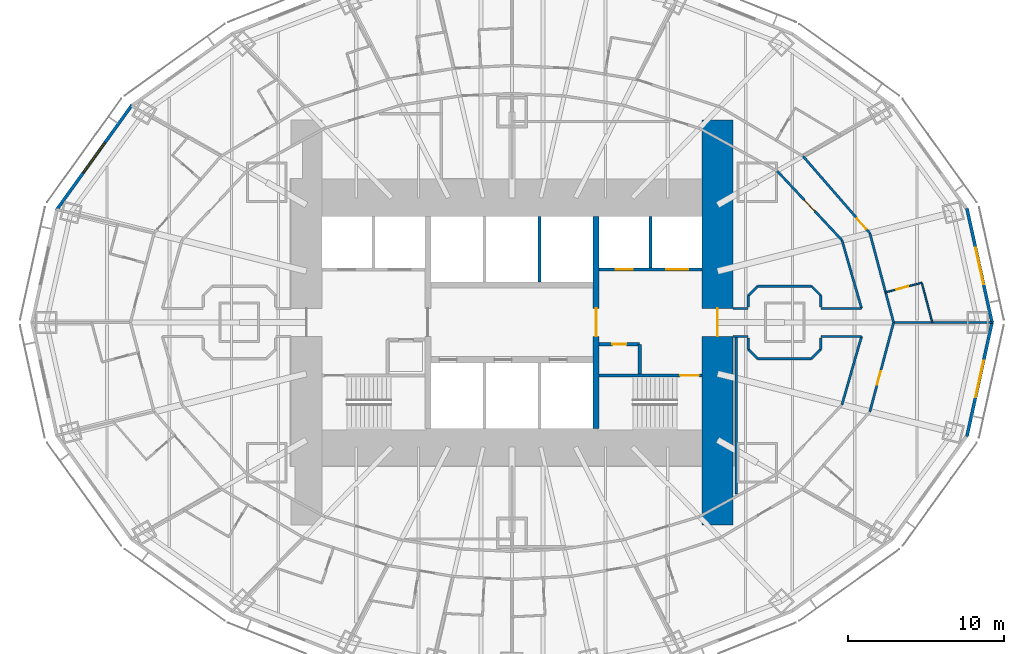
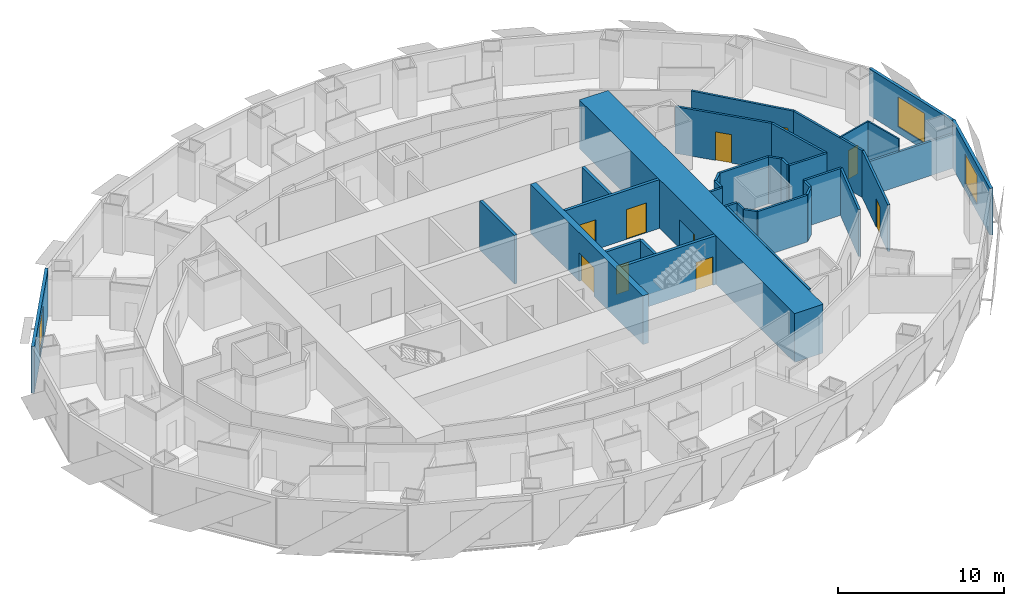
# One storey, part 8 of 15: 35 walls, 10 doors, 3 windows, 13 openings.
"""IFC4 building model written with IfcOpenShell, lengths in metres."""

from ifc_helpers import new_model, si_unit, direction, frame, frame_2d, origin, place, context, subcontext, project, spatial, rectangle, extrude, material, layer, layer_set, type_object, element, fill, save


model = new_model("IFC4")

# Units and contexts
model_context = context("Model", 3, precision=1e-05, world=origin(), true_north=direction((0.0, 1.0)))
body_context = subcontext(model_context, "Body", "Model", "MODEL_VIEW")
ifc_project = project(units=[si_unit("LENGTHUNIT", "METRE"), si_unit("AREAUNIT", "SQUARE_METRE"), si_unit("VOLUMEUNIT", "CUBIC_METRE"), si_unit("PLANEANGLEUNIT", "RADIAN"), si_unit("MASSUNIT", "GRAM", prefix="KILO")], contexts=[model_context])

# Site, building, storey
site_placement = place(None, origin())
site = spatial("IfcSite", under=ifc_project, at=site_placement, CompositionType="ELEMENT")
building_placement = place(site_placement, origin())
building = spatial("IfcBuilding", under=site, at=building_placement, Name="Lantaw Convention Tower", CompositionType="ELEMENT")
storey_placement = place(building_placement, frame((0.0, 0.0, 62.199951171875)))
storey = spatial("IfcBuildingStorey", under=building, at=storey_placement, Name="L13", CompositionType="ELEMENT", Elevation=62.199951171875)

# Wall
ifc_material_1 = material(Name="Gypsum board on steel studs", Category="steel")
ifc_layer_1 = layer(ifc_material_1, 0.14990234375)
ifc_layer_set_1 = layer_set([ifc_layer_1], Name="Back of house wall 150")
wall_type_1 = type_object("IfcWallType", Name="Back of house wall 150", PredefinedType="PARTITIONING", material=ifc_layer_set_1)
wall_1_placement = place(storey_placement, frame((14.39990234375, -11.01708984375, 0.0), z_axis=(0.0, 0.0, 1.0), x_axis=(0.0, 1.0, 0.0)))
element("IfcWall", 1, at=wall_1_placement, inside=storey, type_object=wall_type_1, Name="Back of house wall 150", PredefinedType="PARTITIONING", context=body_context, shape_type="SweptSolid", body=[
    extrude(rectangle(XDim=10.1171875, YDim=0.14990234375, at=frame_2d((5.05859375, 0.0))), origin(), (0.0, 0.0, 1.0), 3.449951171875),
])

# Wall, opening, door
ifc_material_2 = material(Name="Moisture resistant gypsum board on steel studs", Category="steel")
ifc_layer_2 = layer(ifc_material_2, 0.10009765625)
ifc_layer_set_2 = layer_set([ifc_layer_2], Name="Bathroom wall 100")
wall_type_2 = type_object("IfcWallType", Name="Bathroom wall 100", PredefinedType="PARTITIONING", material=ifc_layer_set_2)
wall_2_placement = place(storey_placement, frame((23.98583984375, 1.932861328125, 0.0), z_axis=(0.0, 0.0, 1.0), x_axis=(0.96639514992, 0.257061109879, 0.0)))
wall_2 = element("IfcWall", 2, at=wall_2_placement, inside=storey, type_object=wall_type_2, Name="Bathroom wall 100", PredefinedType="PARTITIONING", context=body_context, shape_type="SweptSolid", body=[
    extrude(rectangle(XDim=2.39990234375, YDim=0.10009765625, at=frame_2d((1.199951171875, 0.0))), origin(), (0.0, 0.0, 1.0), 3.449951171875),
])
opening_1_placement = place(wall_2_placement, frame((0.699951171875, 0.0, 0.0)))
opening_1 = element("IfcOpeningElement", 3, at=opening_1_placement, cuts=wall_2, Name="Opening L13.25", PredefinedType="OPENING", context=body_context, shape_type="SweptSolid", body=[
    extrude(rectangle(XDim=0.800048828125, YDim=2.10009765625, at=frame_2d((0.39990234375, 1.050048828125))), frame((0.0, 0.06005859375, 0.0), z_axis=(0.0, -1.0, 0.0), x_axis=(1.0, 0.0, 0.0)), (0.0, 0.0, 1.0), 0.1201171875),
])
ifc_material_3 = material(Name="Timber", Category="wood")
door_type_1 = type_object("IfcDoorType", Name="Bathroom door 800", OperationType="SINGLE_SWING_LEFT", PredefinedType="DOOR", material=ifc_material_3)
door_1_placement = place(opening_1_placement, origin())
door_1 = element("IfcDoor", 4, at=door_1_placement, inside=storey, type_object=door_type_1, Name="Bathroom door", OperationType="SINGLE_SWING_LEFT", OverallHeight=2.10009765625, OverallWidth=0.800048828125, PredefinedType="DOOR", context=body_context, shape_type="SweptSolid", body=[
    extrude(rectangle(XDim=0.800048828125, YDim=2.10009765625, at=frame_2d((0.39990234375, 1.050048828125))), frame((0.0, 0.02490234375, 0.0), z_axis=(0.0, -1.0, 0.0), x_axis=(1.0, 0.0, 0.0)), (0.0, 0.0, 1.0), 0.050048828125),
])
fill(opening_1, door_1)

# Wall
wall_3_placement = place(storey_placement, frame((26.30517578125, 2.5498046875, 0.0), z_axis=(0.0, 0.0, 1.0), x_axis=(0.257052122515, -0.966397540513, 0.0)))
element("IfcWall", 5, at=wall_3_placement, inside=storey, type_object=wall_type_2, Name="Bathroom wall 100", PredefinedType="PARTITIONING", context=body_context, shape_type="SweptSolid", body=[
    extrude(rectangle(XDim=2.638427734375, YDim=0.10009765625, at=frame_2d((1.3193359375, 0.0))), origin(), (0.0, 0.0, 1.0), 3.449951171875),
])

# Wall, opening, door
ifc_material_4 = material(Name="Concrete C60/75", Category="concrete")
ifc_layer_3 = layer(ifc_material_4, 0.199951171875)
ifc_layer_set_3 = layer_set([ifc_layer_3], Name="Core wall 200")
wall_type_3 = type_object("IfcWallType", Name="Core wall 200", PredefinedType="SHEAR", material=ifc_layer_set_3)
wall_4_placement = place(storey_placement, frame((5.60009765625, -3.39990234375, 0.0), z_axis=(0.0, 0.0, 1.0), x_axis=(1.0, 0.0, 0.0)))
wall_4 = element("IfcWall", 6, at=wall_4_placement, inside=storey, type_object=wall_type_3, Name="Core wall ES", PredefinedType="SHEAR", context=body_context, shape_type="SweptSolid", body=[
    extrude(rectangle(XDim=6.599853515625, YDim=0.199951171875, at=frame_2d((3.2998046875, 0.0))), origin(), (0.0, 0.0, 1.0), 3.60009765625),
])
opening_2_placement = place(wall_4_placement, frame((5.199951171875, 0.0, 0.0)))
opening_2 = element("IfcOpeningElement", 7, at=opening_2_placement, cuts=wall_4, Name="Opening L13.05", PredefinedType="OPENING", context=body_context, shape_type="SweptSolid", body=[
    extrude(rectangle(XDim=1.199951171875, YDim=2.10009765625, at=frame_2d((0.60009765625, 1.050048828125))), frame((0.0, 0.10986328125, 0.0), z_axis=(0.0, -1.0, 0.0), x_axis=(1.0, 0.0, 0.0)), (0.0, 0.0, 1.0), 0.219970703125),
])
ifc_material_5 = material(Name="Steel, fire rated", Category="steel")
door_type_2 = type_object("IfcDoorType", Name="Stair door FD90", OperationType="SINGLE_SWING_RIGHT", PredefinedType="DOOR", material=ifc_material_5)
door_2_placement = place(opening_2_placement, origin())
door_2 = element("IfcDoor", 8, at=door_2_placement, inside=storey, type_object=door_type_2, Name="Exit stair door", OperationType="SINGLE_SWING_RIGHT", OverallHeight=2.10009765625, OverallWidth=1.199951171875, PredefinedType="DOOR", context=body_context, shape_type="SweptSolid", body=[
    extrude(rectangle(XDim=1.199951171875, YDim=2.10009765625, at=frame_2d((0.60009765625, 1.050048828125))), frame((0.0, 0.02490234375, 0.0), z_axis=(0.0, -1.0, 0.0), x_axis=(1.0, 0.0, 0.0)), (0.0, 0.0, 1.0), 0.050048828125),
])
fill(opening_2, door_2)

ifc_layer_4 = layer(ifc_material_4, 2.0)
ifc_layer_set_4 = layer_set([ifc_layer_4], Name="Core wall 2000")
wall_type_4 = type_object("IfcWallType", Name="Core wall 2000", PredefinedType="SHEAR", material=ifc_layer_set_4)
wall_5_placement = place(storey_placement, frame((13.199951171875, -13.0, 0.0), z_axis=(0.0, 0.0, 1.0), x_axis=(0.0, 1.0, 0.0)))
wall_5 = element("IfcWall", 9, at=wall_5_placement, inside=storey, type_object=wall_type_4, Name="Core wall E", PredefinedType="SHEAR", context=body_context, shape_type="SweptSolid", body=[
    extrude(rectangle(XDim=26.0, YDim=2.0, at=frame_2d((13.0, 0.0))), origin(), (0.0, 0.0, 1.0), 3.60009765625),
])
opening_3_placement = place(wall_5_placement, frame((12.10009765625, 0.0, 0.0)))
opening_3 = element("IfcOpeningElement", 10, at=opening_3_placement, cuts=wall_5, Name="Opening L13.07", PredefinedType="OPENING", context=body_context, shape_type="SweptSolid", body=[
    extrude(rectangle(XDim=1.800048828125, YDim=2.10009765625, at=frame_2d((0.89990234375, 1.050048828125))), frame((0.0, 1.010009765625, 0.0), z_axis=(0.0, -1.0, 0.0), x_axis=(1.0, 0.0, 0.0)), (0.0, 0.0, 1.0), 2.02001953125),
])
door_type_3 = type_object("IfcDoorType", Name="Lobby double door FD90", OperationType="DOUBLE_DOOR_DOUBLE_SWING", PredefinedType="DOOR", material=ifc_material_5)
door_3_placement = place(opening_3_placement, origin())
door_3 = element("IfcDoor", 11, at=door_3_placement, inside=storey, type_object=door_type_3, Name="Firefighting lobby door", OperationType="DOUBLE_DOOR_DOUBLE_SWING", OverallHeight=2.10009765625, OverallWidth=1.800048828125, PredefinedType="DOOR", context=body_context, shape_type="SweptSolid", body=[
    extrude(rectangle(XDim=1.800048828125, YDim=2.10009765625, at=frame_2d((0.89990234375, 1.050048828125))), frame((0.0, 0.02490234375, 0.0), z_axis=(0.0, -1.0, 0.0), x_axis=(1.0, 0.0, 0.0)), (0.0, 0.0, 1.0), 0.050048828125),
])
fill(opening_3, door_3)

ifc_layer_5 = layer(ifc_material_4, 0.39990234375)
ifc_layer_set_5 = layer_set([ifc_layer_5], Name="Core wall 400")
wall_type_5 = type_object("IfcWallType", Name="Core wall 400", PredefinedType="SHEAR", material=ifc_layer_set_5)
wall_6_placement = place(storey_placement, frame((5.39990234375, -6.800048828125, 0.0), z_axis=(0.0, 0.0, 1.0), x_axis=(0.0, 1.0, 0.0)))
wall_6 = element("IfcWall", 12, at=wall_6_placement, inside=storey, type_object=wall_type_5, Name="Core wall XE", PredefinedType="SHEAR", context=body_context, shape_type="SweptSolid", body=[
    extrude(rectangle(XDim=13.60009765625, YDim=0.39990234375, at=frame_2d((6.800048828125, 0.0))), origin(), (0.0, 0.0, 1.0), 3.60009765625),
])
opening_4_placement = place(wall_6_placement, frame((5.89990234375, 0.0, 0.0)))
opening_4 = element("IfcOpeningElement", 13, at=opening_4_placement, cuts=wall_6, Name="Opening L13.03", PredefinedType="OPENING", context=body_context, shape_type="SweptSolid", body=[
    extrude(rectangle(XDim=1.800048828125, YDim=2.10009765625, at=frame_2d((0.89990234375, 1.050048828125))), frame((0.0, 0.2099609375, 0.0), z_axis=(0.0, -1.0, 0.0), x_axis=(1.0, 0.0, 0.0)), (0.0, 0.0, 1.0), 0.419921875),
])
door_4_placement = place(opening_4_placement, origin())
door_4 = element("IfcDoor", 14, at=door_4_placement, inside=storey, type_object=door_type_3, Name="Lift lobby door", OperationType="DOUBLE_DOOR_DOUBLE_SWING", OverallHeight=2.10009765625, OverallWidth=1.800048828125, PredefinedType="DOOR", context=body_context, shape_type="SweptSolid", body=[
    extrude(rectangle(XDim=1.800048828125, YDim=2.10009765625, at=frame_2d((0.89990234375, 1.050048828125))), frame((0.0, 0.02490234375, 0.0), z_axis=(0.0, -1.0, 0.0), x_axis=(1.0, 0.0, 0.0)), (0.0, 0.0, 1.0), 0.050048828125),
])
fill(opening_4, door_4)

# Wall
ifc_material_6 = material(Name="Gypsum board on steel studs, fire rated", Category="steel")
ifc_layer_6 = layer(ifc_material_6, 0.14990234375)
ifc_layer_set_6 = layer_set([ifc_layer_6], Name="Corridor wall 150 EI 60")
wall_type_6 = type_object("IfcWallType", Name="Corridor wall 150 EI 60", PredefinedType="PARTITIONING", material=ifc_layer_set_6)
wall_7_placement = place(storey_placement, frame((24.5, 0.0, 0.0), z_axis=(0.0, 0.0, 1.0), x_axis=(-0.257083265334, 0.966389256296, 0.0)))
element("IfcWall", 15, at=wall_7_placement, inside=storey, type_object=wall_type_6, Name="Corridor wall 150", PredefinedType="PARTITIONING", context=body_context, shape_type="SweptSolid", body=[
    extrude(rectangle(XDim=5.927734375, YDim=0.14990234375, at=frame_2d((2.9638671875, 0.0))), origin(), (0.0, 0.0, 1.0), 3.449951171875),
])

# Wall, opening, door
wall_8_placement = place(storey_placement, frame((22.97607421875, 5.728515625, 0.0), z_axis=(0.0, 0.0, 1.0), x_axis=(-0.655599989166, 0.755108372491, 0.0)))
wall_8 = element("IfcWall", 16, at=wall_8_placement, inside=storey, type_object=wall_type_6, Name="Corridor wall 150", PredefinedType="PARTITIONING", context=body_context, shape_type="SweptSolid", body=[
    extrude(rectangle(XDim=6.55078125, YDim=0.14990234375, at=frame_2d((3.275390625, 0.0))), origin(), (0.0, 0.0, 1.0), 3.449951171875),
])
opening_5_placement = place(wall_8_placement, frame((0.355712890625, 0.0, 0.0)))
opening_5 = element("IfcOpeningElement", 17, at=opening_5_placement, cuts=wall_8, Name="Opening L13.26", PredefinedType="OPENING", context=body_context, shape_type="SweptSolid", body=[
    extrude(rectangle(XDim=0.89990234375, YDim=2.10009765625, at=frame_2d((0.449951171875, 1.050048828125))), frame((0.0, 0.0849609375, 0.0), z_axis=(0.0, -1.0, 0.0), x_axis=(1.0, 0.0, 0.0)), (0.0, 0.0, 1.0), 0.169921875),
])
door_type_4 = type_object("IfcDoorType", Name="Guest room entrance door FD30S", OperationType="SINGLE_SWING_LEFT", PredefinedType="DOOR", material=ifc_material_5)
door_5_placement = place(opening_5_placement, origin())
door_5 = element("IfcDoor", 18, at=door_5_placement, inside=storey, type_object=door_type_4, Name="Junior suite entrance door", OperationType="SINGLE_SWING_LEFT", OverallHeight=2.10009765625, OverallWidth=0.89990234375, PredefinedType="DOOR", context=body_context, shape_type="SweptSolid", body=[
    extrude(rectangle(XDim=0.89990234375, YDim=2.10009765625, at=frame_2d((0.449951171875, 1.050048828125))), frame((0.0, 0.02490234375, 0.0), z_axis=(0.0, -1.0, 0.0), x_axis=(1.0, 0.0, 0.0)), (0.0, 0.0, 1.0), 0.050048828125),
])
fill(opening_5, door_5)

wall_9_placement = place(storey_placement, frame((22.97607421875, -5.728515625, 0.0), z_axis=(0.0, 0.0, 1.0), x_axis=(0.257083265334, 0.966389256296, 0.0)))
wall_9 = element("IfcWall", 19, at=wall_9_placement, inside=storey, type_object=wall_type_6, Name="Corridor wall 150", PredefinedType="PARTITIONING", context=body_context, shape_type="SweptSolid", body=[
    extrude(rectangle(XDim=5.927734375, YDim=0.14990234375, at=frame_2d((2.9638671875, 0.0))), origin(), (0.0, 0.0, 1.0), 3.449951171875),
])
opening_6_placement = place(wall_9_placement, frame((1.79443359375, 0.0, 0.0)))
opening_6 = element("IfcOpeningElement", 20, at=opening_6_placement, cuts=wall_9, Name="Opening L13.60", PredefinedType="OPENING", context=body_context, shape_type="SweptSolid", body=[
    extrude(rectangle(XDim=0.89990234375, YDim=2.10009765625, at=frame_2d((0.449951171875, 1.050048828125))), frame((0.0, 0.0849609375, 0.0), z_axis=(0.0, -1.0, 0.0), x_axis=(1.0, 0.0, 0.0)), (0.0, 0.0, 1.0), 0.169921875),
])
door_6_placement = place(opening_6_placement, origin())
door_6 = element("IfcDoor", 21, at=door_6_placement, inside=storey, type_object=door_type_4, Name="Junior suite entrance door", OperationType="SINGLE_SWING_LEFT", OverallHeight=2.10009765625, OverallWidth=0.89990234375, PredefinedType="DOOR", context=body_context, shape_type="SweptSolid", body=[
    extrude(rectangle(XDim=0.89990234375, YDim=2.10009765625, at=frame_2d((0.449951171875, 1.050048828125))), frame((0.0, 0.02490234375, 0.0), z_axis=(0.0, -1.0, 0.0), x_axis=(1.0, 0.0, 0.0)), (0.0, 0.0, 1.0), 0.050048828125),
])
fill(opening_6, door_6)

# Wall
wall_10_placement = place(storey_placement, frame((22.441650390625, 0.89990234375, 0.0), z_axis=(0.0, 0.0, 1.0), x_axis=(-0.27585972825, 0.961197903831, 0.0)))
element("IfcWall", 22, at=wall_10_placement, inside=storey, type_object=wall_type_6, Name="Corridor wall 150", PredefinedType="PARTITIONING", context=body_context, shape_type="SweptSolid", body=[
    extrude(rectangle(XDim=4.558837890625, YDim=0.14990234375, at=frame_2d((2.279296875, 0.0))), origin(), (0.0, 0.0, 1.0), 3.449951171875),
])

# Wall, opening, door
wall_11_placement = place(storey_placement, frame((21.18408203125, 5.28173828125, 0.0), z_axis=(0.0, 0.0, 1.0), x_axis=(-0.68365836236, 0.729802194828, 0.0)))
wall_11 = element("IfcWall", 23, at=wall_11_placement, inside=storey, type_object=wall_type_6, Name="Corridor wall 150", PredefinedType="PARTITIONING", context=body_context, shape_type="SweptSolid", body=[
    extrude(rectangle(XDim=6.08984375, YDim=0.14990234375, at=frame_2d((3.044921875, 0.0))), origin(), (0.0, 0.0, 1.0), 3.449951171875),
])
opening_7_placement = place(wall_11_placement, frame((2.544921875, 0.0, 0.0)))
opening_7 = element("IfcOpeningElement", 24, at=opening_7_placement, cuts=wall_11, Name="Opening L13.17", PredefinedType="OPENING", context=body_context, shape_type="SweptSolid", body=[
    extrude(rectangle(XDim=1.0, YDim=2.10009765625, at=frame_2d((0.5, 1.050048828125))), frame((0.0, 0.0849609375, 0.0), z_axis=(0.0, -1.0, 0.0), x_axis=(1.0, 0.0, 0.0)), (0.0, 0.0, 1.0), 0.169921875),
])
door_type_5 = type_object("IfcDoorType", Name="Service door 1000 FD30", OperationType="SINGLE_SWING_LEFT", PredefinedType="DOOR", material=ifc_material_5)
door_7_placement = place(opening_7_placement, origin())
door_7 = element("IfcDoor", 25, at=door_7_placement, inside=storey, type_object=door_type_5, Name="Linen store door", OperationType="SINGLE_SWING_LEFT", OverallHeight=2.10009765625, OverallWidth=1.0, PredefinedType="DOOR", context=body_context, shape_type="SweptSolid", body=[
    extrude(rectangle(XDim=1.0, YDim=2.10009765625, at=frame_2d((0.5, 1.050048828125))), frame((0.0, 0.02490234375, 0.0), z_axis=(0.0, -1.0, 0.0), x_axis=(1.0, 0.0, 0.0)), (0.0, 0.0, 1.0), 0.050048828125),
])
fill(opening_7, door_7)

# Walls
wall_12_placement = place(storey_placement, frame((21.18408203125, -5.28173828125, 0.0), z_axis=(0.0, 0.0, 1.0), x_axis=(0.27585972825, 0.961197903831, 0.0)))
element("IfcWall", 26, at=wall_12_placement, inside=storey, type_object=wall_type_6, Name="Corridor wall 150", PredefinedType="PARTITIONING", context=body_context, shape_type="SweptSolid", body=[
    extrude(rectangle(XDim=4.558837890625, YDim=0.14990234375, at=frame_2d((2.279296875, 0.0))), origin(), (0.0, 0.0, 1.0), 3.449951171875),
])
wall_13_placement = place(storey_placement, frame((14.199951171875, -0.89990234375, 0.0), z_axis=(0.0, 0.0, 1.0), x_axis=(1.0, 0.0, 0.0)))
element("IfcWall", 27, at=wall_13_placement, inside=storey, type_object=wall_type_6, Name="Corridor wall 150", PredefinedType="PARTITIONING", context=body_context, shape_type="SweptSolid", body=[
    extrude(rectangle(XDim=0.965087890625, YDim=0.14990234375, at=frame_2d((0.482421875, 0.0))), origin(), (0.0, 0.0, 1.0), 3.449951171875),
])
wall_14_placement = place(storey_placement, frame((19.8349609375, -0.89990234375, 0.0), z_axis=(0.0, 0.0, 1.0), x_axis=(1.0, 0.0, 0.0)))
element("IfcWall", 28, at=wall_14_placement, inside=storey, type_object=wall_type_6, Name="Corridor wall 150", PredefinedType="PARTITIONING", context=body_context, shape_type="SweptSolid", body=[
    extrude(rectangle(XDim=2.606689453125, YDim=0.14990234375, at=frame_2d((1.30322265625, 0.0))), origin(), (0.0, 0.0, 1.0), 3.449951171875),
])
wall_15_placement = place(storey_placement, frame((14.199951171875, 0.89990234375, 0.0), z_axis=(0.0, 0.0, 1.0), x_axis=(1.0, 0.0, 0.0)))
element("IfcWall", 29, at=wall_15_placement, inside=storey, type_object=wall_type_6, Name="Corridor wall 150", PredefinedType="PARTITIONING", context=body_context, shape_type="SweptSolid", body=[
    extrude(rectangle(XDim=0.965087890625, YDim=0.14990234375, at=frame_2d((0.482421875, 0.0))), origin(), (0.0, 0.0, 1.0), 3.449951171875),
])
wall_16_placement = place(storey_placement, frame((19.8349609375, 0.89990234375, 0.0), z_axis=(0.0, 0.0, 1.0), x_axis=(1.0, 0.0, 0.0)))
element("IfcWall", 30, at=wall_16_placement, inside=storey, type_object=wall_type_6, Name="Corridor wall 150", PredefinedType="PARTITIONING", context=body_context, shape_type="SweptSolid", body=[
    extrude(rectangle(XDim=2.606689453125, YDim=0.14990234375, at=frame_2d((1.30322265625, 0.0))), origin(), (0.0, 0.0, 1.0), 3.449951171875),
])
wall_17_placement = place(storey_placement, frame((15.175048828125, 1.003173828125, 0.0), z_axis=(0.0, 0.0, 1.0), x_axis=(0.0, 1.0, 0.0)))
element("IfcWall", 31, at=wall_17_placement, inside=storey, type_object=wall_type_6, Name="Corridor wall 150", PredefinedType="PARTITIONING", context=body_context, shape_type="SweptSolid", body=[
    extrude(rectangle(XDim=0.721435546875, YDim=0.14990234375, at=frame_2d((0.36083984375, 0.0))), origin(), (0.0, 0.0, 1.0), 3.449951171875),
])
wall_18_placement = place(storey_placement, frame((15.175048828125, 1.724609375, 0.0), z_axis=(0.0, 0.0, 1.0), x_axis=(0.707106781187, 0.707106781187, 0.0)))
element("IfcWall", 32, at=wall_18_placement, inside=storey, type_object=wall_type_6, Name="Corridor wall 150", PredefinedType="PARTITIONING", context=body_context, shape_type="SweptSolid", body=[
    extrude(rectangle(XDim=0.84912109375, YDim=0.14990234375, at=frame_2d((0.424560546875, 0.0))), origin(), (0.0, 0.0, 1.0), 3.449951171875),
])
wall_19_placement = place(storey_placement, frame((15.775390625, 2.324951171875, 0.0), z_axis=(0.0, 0.0, 1.0), x_axis=(1.0, 0.0, 0.0)))
element("IfcWall", 33, at=wall_19_placement, inside=storey, type_object=wall_type_6, Name="Corridor wall 150", PredefinedType="PARTITIONING", context=body_context, shape_type="SweptSolid", body=[
    extrude(rectangle(XDim=3.44921875, YDim=0.14990234375, at=frame_2d((1.724609375, 0.0))), origin(), (0.0, 0.0, 1.0), 3.449951171875),
])
wall_20_placement = place(storey_placement, frame((19.224609375, 2.324951171875, 0.0), z_axis=(0.0, 0.0, 1.0), x_axis=(0.707106781187, -0.707106781187, 0.0)))
element("IfcWall", 34, at=wall_20_placement, inside=storey, type_object=wall_type_6, Name="Corridor wall 150", PredefinedType="PARTITIONING", context=body_context, shape_type="SweptSolid", body=[
    extrude(rectangle(XDim=0.84912109375, YDim=0.14990234375, at=frame_2d((0.424560546875, 0.0))), origin(), (0.0, 0.0, 1.0), 3.449951171875),
])
for number, where, z_axis, x_axis, name in (
    (35, (19.824951171875, 1.724609375, 0.0), (0.0, 0.0, 1.0), (0.0, -1.0, 0.0), "Corridor wall 150"),
    (36, (15.175048828125, -1.724609375, 0.0), (0.0, 0.0, 1.0), (0.0, 1.0, 0.0), "Corridor wall 150"),
    (37, (19.824951171875, -1.003173828125, 0.0), (0.0, 0.0, 1.0), (0.0, -1.0, 0.0), "Corridor wall 150"),
):
    element("IfcWall", number, at=place(storey_placement, frame(where, z_axis=z_axis, x_axis=x_axis)), inside=storey, type_object=wall_type_6, Name=name, PredefinedType="PARTITIONING", context=body_context, shape_type="SweptSolid", body=[
        extrude(rectangle(XDim=0.721435546875, YDim=0.14990234375, at=frame_2d((0.36083984375, 0.0))), origin(), (0.0, 0.0, 1.0), 3.449951171875),
    ])
wall_21_placement = place(storey_placement, frame((19.824951171875, -1.724609375, 0.0), z_axis=(0.0, 0.0, 1.0), x_axis=(-0.707106781187, -0.707106781187, 0.0)))
element("IfcWall", 38, at=wall_21_placement, inside=storey, type_object=wall_type_6, Name="Corridor wall 150", PredefinedType="PARTITIONING", context=body_context, shape_type="SweptSolid", body=[
    extrude(rectangle(XDim=0.84912109375, YDim=0.14990234375, at=frame_2d((0.424560546875, 0.0))), origin(), (0.0, 0.0, 1.0), 3.449951171875),
])
wall_22_placement = place(storey_placement, frame((19.224609375, -2.324951171875, 0.0), z_axis=(0.0, 0.0, 1.0), x_axis=(-1.0, 0.0, 0.0)))
element("IfcWall", 39, at=wall_22_placement, inside=storey, type_object=wall_type_6, Name="Corridor wall 150", PredefinedType="PARTITIONING", context=body_context, shape_type="SweptSolid", body=[
    extrude(rectangle(XDim=3.44921875, YDim=0.14990234375, at=frame_2d((1.724609375, 0.0))), origin(), (0.0, 0.0, 1.0), 3.449951171875),
])
wall_23_placement = place(storey_placement, frame((15.775390625, -2.324951171875, 0.0), z_axis=(0.0, 0.0, 1.0), x_axis=(-0.707106781187, 0.707106781187, 0.0)))
element("IfcWall", 40, at=wall_23_placement, inside=storey, type_object=wall_type_6, Name="Corridor wall 150", PredefinedType="PARTITIONING", context=body_context, shape_type="SweptSolid", body=[
    extrude(rectangle(XDim=0.84912109375, YDim=0.14990234375, at=frame_2d((0.424560546875, 0.0))), origin(), (0.0, 0.0, 1.0), 3.449951171875),
])

# Wall, opening, window
ifc_material_7 = material(Name="Insulated aluminium panel on steel frame", Category="steel")
ifc_layer_7 = layer(ifc_material_7, 0.199951171875)
ifc_layer_set_7 = layer_set([ifc_layer_7], Name="External wall 200")
wall_type_7 = type_object("IfcWallType", Name="External wall 200", PredefinedType="SOLIDWALL", material=ifc_layer_set_7)
wall_24_placement = place(storey_placement, frame((30.83544921875, -0.06689453125, 0.0), z_axis=(0.0, 0.0, 1.0), x_axis=(-0.215238065514, 0.976561608478, 0.0)))
wall_24 = element("IfcWall", 41, at=wall_24_placement, inside=storey, type_object=wall_type_7, Name="Facade panel wall", PredefinedType="SOLIDWALL", context=body_context, shape_type="SweptSolid", body=[
    extrude(rectangle(XDim=7.562255859375, YDim=0.199951171875, at=frame_2d((3.78125, 0.0))), origin(), (0.0, 0.0, 1.0), 3.449951171875),
])
opening_8_placement = place(wall_24_placement, frame((2.581298828125, 0.0, 0.5)))
opening_8 = element("IfcOpeningElement", 42, at=opening_8_placement, cuts=wall_24, Name="Opening W1", PredefinedType="OPENING", context=body_context, shape_type="SweptSolid", body=[
    extrude(rectangle(XDim=2.39990234375, YDim=2.199951171875, at=frame_2d((1.199951171875, 1.10009765625))), frame((0.0, 0.10986328125, 0.0), z_axis=(0.0, -1.0, 0.0), x_axis=(1.0, 0.0, 0.0)), (0.0, 0.0, 1.0), 0.219970703125),
])
ifc_material_8 = material(Name="Aluminium frame, clear insulating glass", Category="aluminium")
window_type = type_object("IfcWindowType", Name="Guest room window 2400x2200", PartitioningType="SINGLE_PANEL", PredefinedType="WINDOW", material=ifc_material_8)
window_1_placement = place(opening_8_placement, origin())
window_1 = element("IfcWindow", 43, at=window_1_placement, inside=storey, type_object=window_type, Name="Guest room window", OverallHeight=2.199951171875, OverallWidth=2.39990234375, PartitioningType="SINGLE_PANEL", PredefinedType="WINDOW", context=body_context, shape_type="SweptSolid", body=[
    extrude(rectangle(XDim=2.39990234375, YDim=2.199951171875, at=frame_2d((1.199951171875, 1.10009765625))), frame((0.0, 0.030029296875, 0.0), z_axis=(0.0, -1.0, 0.0), x_axis=(1.0, 0.0, 0.0)), (0.0, 0.0, 1.0), 0.06005859375),
])
fill(opening_8, window_1)

wall_25_placement = place(storey_placement, frame((-24.400390625, 13.95654296875, 0.0), z_axis=(0.0, 0.0, 1.0), x_axis=(-0.583937613703, -0.811798536155, 0.0)))
wall_25 = element("IfcWall", 44, at=wall_25_placement, inside=storey, type_object=wall_type_7, Name="Facade panel wall", PredefinedType="SOLIDWALL", context=body_context, shape_type="SweptSolid", body=[
    extrude(rectangle(XDim=8.322998046875, YDim=0.199951171875, at=frame_2d((4.16162109375, 0.0))), origin(), (0.0, 0.0, 1.0), 3.449951171875),
])
opening_9_placement = place(wall_25_placement, frame((2.96142578125, 0.0, 0.5)))
opening_9 = element("IfcOpeningElement", 45, at=opening_9_placement, cuts=wall_25, Name="Opening W1", PredefinedType="OPENING", context=body_context, shape_type="SweptSolid", body=[
    extrude(rectangle(XDim=2.39990234375, YDim=2.199951171875, at=frame_2d((1.199951171875, 1.10009765625))), frame((0.0, 0.10986328125, 0.0), z_axis=(0.0, -1.0, 0.0), x_axis=(1.0, 0.0, 0.0)), (0.0, 0.0, 1.0), 0.219970703125),
])
window_2_placement = place(opening_9_placement, origin())
window_2 = element("IfcWindow", 46, at=window_2_placement, inside=storey, type_object=window_type, Name="Guest room window", OverallHeight=2.199951171875, OverallWidth=2.39990234375, PartitioningType="SINGLE_PANEL", PredefinedType="WINDOW", context=body_context, shape_type="SweptSolid", body=[
    extrude(rectangle(XDim=2.39990234375, YDim=2.199951171875, at=frame_2d((1.199951171875, 1.10009765625))), frame((0.0, 0.030029296875, 0.0), z_axis=(0.0, -1.0, 0.0), x_axis=(1.0, 0.0, 0.0)), (0.0, 0.0, 1.0), 0.06005859375),
])
fill(opening_9, window_2)

wall_26_placement = place(storey_placement, frame((29.207763671875, -7.318115234375, 0.0), z_axis=(0.0, 0.0, 1.0), x_axis=(0.215238065514, 0.976561608478, 0.0)))
wall_26 = element("IfcWall", 47, at=wall_26_placement, inside=storey, type_object=wall_type_7, Name="Facade panel wall", PredefinedType="SOLIDWALL", context=body_context, shape_type="SweptSolid", body=[
    extrude(rectangle(XDim=7.562255859375, YDim=0.199951171875, at=frame_2d((3.78125, 0.0))), origin(), (0.0, 0.0, 1.0), 3.449951171875),
])
opening_10_placement = place(wall_26_placement, frame((2.581298828125, 0.0, 0.5)))
opening_10 = element("IfcOpeningElement", 48, at=opening_10_placement, cuts=wall_26, Name="Opening W1", PredefinedType="OPENING", context=body_context, shape_type="SweptSolid", body=[
    extrude(rectangle(XDim=2.39990234375, YDim=2.199951171875, at=frame_2d((1.199951171875, 1.10009765625))), frame((0.0, 0.10986328125, 0.0), z_axis=(0.0, -1.0, 0.0), x_axis=(1.0, 0.0, 0.0)), (0.0, 0.0, 1.0), 0.219970703125),
])
window_3_placement = place(opening_10_placement, origin())
window_3 = element("IfcWindow", 49, at=window_3_placement, inside=storey, type_object=window_type, Name="Guest room window", OverallHeight=2.199951171875, OverallWidth=2.39990234375, PartitioningType="SINGLE_PANEL", PredefinedType="WINDOW", context=body_context, shape_type="SweptSolid", body=[
    extrude(rectangle(XDim=2.39990234375, YDim=2.199951171875, at=frame_2d((1.199951171875, 1.10009765625))), frame((0.0, 0.030029296875, 0.0), z_axis=(0.0, -1.0, 0.0), x_axis=(1.0, 0.0, 0.0)), (0.0, 0.0, 1.0), 0.06005859375),
])
fill(opening_10, window_3)

# Wall
ifc_material_9 = material(Name="Gypsum board on steel studs, acoustic", Category="steel")
ifc_layer_8 = layer(ifc_material_9, 0.14990234375)
ifc_layer_set_8 = layer_set([ifc_layer_8], Name="Guest room party wall 150")
wall_type_8 = type_object("IfcWallType", Name="Guest room party wall 150", PredefinedType="PARTITIONING", material=ifc_layer_set_8)
wall_27_placement = place(storey_placement, frame((30.82080078125, 0.0, 0.0), z_axis=(0.0, 0.0, 1.0), x_axis=(-1.0, 0.0, 0.0)))
element("IfcWall", 50, at=wall_27_placement, inside=storey, type_object=wall_type_8, Name="Guest room party wall 150", PredefinedType="PARTITIONING", context=body_context, shape_type="SweptSolid", body=[
    extrude(rectangle(XDim=6.32080078125, YDim=0.14990234375, at=frame_2d((3.160400390625, 0.0))), origin(), (0.0, 0.0, 1.0), 2.528076171875),
])

# Wall, opening, door
ifc_material_10 = material(Name="Concrete blockwork, fire rated", Category="masonry")
ifc_layer_9 = layer(ifc_material_10, 0.199951171875)
ifc_layer_set_9 = layer_set([ifc_layer_9], Name="Plant room wall 200 EI 120")
wall_type_9 = type_object("IfcWallType", Name="Plant room wall 200 EI 120", PredefinedType="SOLIDWALL", material=ifc_layer_set_9)
wall_28_placement = place(storey_placement, frame((5.60009765625, -1.39990234375, 0.0), z_axis=(0.0, 0.0, 1.0), x_axis=(1.0, 0.0, 0.0)))
wall_28 = element("IfcWall", 51, at=wall_28_placement, inside=storey, type_object=wall_type_9, Name="Plant room wall 200", PredefinedType="SOLIDWALL", context=body_context, shape_type="SweptSolid", body=[
    extrude(rectangle(XDim=2.599853515625, YDim=0.199951171875, at=frame_2d((1.2998046875, 0.0))), origin(), (0.0, 0.0, 1.0), 3.449951171875),
])
opening_11_placement = place(wall_28_placement, frame((0.85009765625, 0.0, 0.0)))
opening_11 = element("IfcOpeningElement", 52, at=opening_11_placement, cuts=wall_28, Name="Opening L13.02", PredefinedType="OPENING", context=body_context, shape_type="SweptSolid", body=[
    extrude(rectangle(XDim=0.89990234375, YDim=2.10009765625, at=frame_2d((0.449951171875, 1.050048828125))), frame((0.0, 0.10986328125, 0.0), z_axis=(0.0, -1.0, 0.0), x_axis=(1.0, 0.0, 0.0)), (0.0, 0.0, 1.0), 0.219970703125),
])
door_type_6 = type_object("IfcDoorType", Name="Service door 900 FD60", OperationType="SINGLE_SWING_LEFT", PredefinedType="DOOR", material=ifc_material_5)
door_8_placement = place(opening_11_placement, origin())
door_8 = element("IfcDoor", 53, at=door_8_placement, inside=storey, type_object=door_type_6, Name="Cleaner's store door", OperationType="SINGLE_SWING_LEFT", OverallHeight=2.10009765625, OverallWidth=0.89990234375, PredefinedType="DOOR", context=body_context, shape_type="SweptSolid", body=[
    extrude(rectangle(XDim=0.89990234375, YDim=2.10009765625, at=frame_2d((0.449951171875, 1.050048828125))), frame((0.0, 0.02490234375, 0.0), z_axis=(0.0, -1.0, 0.0), x_axis=(1.0, 0.0, 0.0)), (0.0, 0.0, 1.0), 0.050048828125),
])
fill(opening_11, door_8)

# Walls
wall_29_placement = place(storey_placement, frame((8.199951171875, -1.39990234375, 0.0), z_axis=(0.0, 0.0, 1.0), x_axis=(0.0, -1.0, 0.0)))
element("IfcWall", 54, at=wall_29_placement, inside=storey, type_object=wall_type_9, Name="Plant room wall 200", PredefinedType="SOLIDWALL", context=body_context, shape_type="SweptSolid", body=[
    extrude(rectangle(XDim=1.900146484375, YDim=0.199951171875, at=frame_2d((0.9501953125, 0.0))), origin(), (0.0, 0.0, 1.0), 3.449951171875),
])
ifc_layer_10 = layer(ifc_material_10, 0.199951171875)
ifc_layer_set_10 = layer_set([ifc_layer_10], Name="Shaft wall 200")
wall_type_10 = type_object("IfcWallType", Name="Shaft wall 200", PredefinedType="SOLIDWALL", material=ifc_layer_set_10)
wall_30_placement = place(storey_placement, frame((1.7666015625, 2.60009765625, 0.0), z_axis=(0.0, 0.0, 1.0), x_axis=(0.0, 1.0, 0.0)))
element("IfcWall", 55, at=wall_30_placement, inside=storey, type_object=wall_type_10, Name="Shaft wall DN2", PredefinedType="SOLIDWALL", context=body_context, shape_type="SweptSolid", body=[
    extrude(rectangle(XDim=4.199951171875, YDim=0.199951171875, at=frame_2d((2.10009765625, 0.0))), origin(), (0.0, 0.0, 1.0), 3.60009765625),
])

# Wall, openings, doors
wall_31_placement = place(storey_placement, frame((12.199951171875, 3.39990234375, 0.0), z_axis=(0.0, 0.0, 1.0), x_axis=(-1.0, 0.0, 0.0)))
wall_31 = element("IfcWall", 56, at=wall_31_placement, inside=storey, type_object=wall_type_10, Name="Shaft wall EN", PredefinedType="SOLIDWALL", context=body_context, shape_type="SweptSolid", body=[
    extrude(rectangle(XDim=6.599853515625, YDim=0.199951171875, at=frame_2d((3.2998046875, 0.0))), origin(), (0.0, 0.0, 1.0), 3.60009765625),
])
opening_12_placement = place(wall_31_placement, frame((4.449951171875, 0.0, 0.0)))
opening_12 = element("IfcOpeningElement", 57, at=opening_12_placement, cuts=wall_31, Name="Opening L13.14", PredefinedType="OPENING", context=body_context, shape_type="SweptSolid", body=[
    extrude(rectangle(XDim=1.10009765625, YDim=2.199951171875, at=frame_2d((0.550048828125, 1.10009765625))), frame((0.0, 0.10986328125, 0.0), z_axis=(0.0, -1.0, 0.0), x_axis=(1.0, 0.0, 0.0)), (0.0, 0.0, 1.0), 0.219970703125),
])
opening_13_placement = place(wall_31_placement, frame((0.89990234375, 0.0, 0.0)))
opening_13 = element("IfcOpeningElement", 58, at=opening_13_placement, cuts=wall_31, Name="Opening L13.15", PredefinedType="OPENING", context=body_context, shape_type="SweptSolid", body=[
    extrude(rectangle(XDim=1.39990234375, YDim=2.199951171875, at=frame_2d((0.699951171875, 1.10009765625))), frame((0.0, 0.10986328125, 0.0), z_axis=(0.0, -1.0, 0.0), x_axis=(1.0, 0.0, 0.0)), (0.0, 0.0, 1.0), 0.219970703125),
])
ifc_material_11 = material(Name="Stainless steel", Category="steel")
door_type_7 = type_object("IfcDoorType", Name="Lift landing door 1100", OperationType="DOUBLE_DOOR_SLIDING", PredefinedType="DOOR", material=ifc_material_11)
door_9_placement = place(opening_12_placement, origin())
door_9 = element("IfcDoor", 59, at=door_9_placement, inside=storey, type_object=door_type_7, Name="Lift landing door FF2", OperationType="DOUBLE_DOOR_SLIDING", OverallHeight=2.199951171875, OverallWidth=1.10009765625, PredefinedType="DOOR", context=body_context, shape_type="SweptSolid", body=[
    extrude(rectangle(XDim=1.10009765625, YDim=2.199951171875, at=frame_2d((0.550048828125, 1.10009765625))), frame((0.0, 0.02490234375, 0.0), z_axis=(0.0, -1.0, 0.0), x_axis=(1.0, 0.0, 0.0)), (0.0, 0.0, 1.0), 0.050048828125),
])
fill(opening_12, door_9)
door_type_8 = type_object("IfcDoorType", Name="Lift landing door 1400", OperationType="DOUBLE_DOOR_SLIDING", PredefinedType="DOOR", material=ifc_material_11)
door_10_placement = place(opening_13_placement, origin())
door_10 = element("IfcDoor", 60, at=door_10_placement, inside=storey, type_object=door_type_8, Name="Lift landing door SV2", OperationType="DOUBLE_DOOR_SLIDING", OverallHeight=2.199951171875, OverallWidth=1.39990234375, PredefinedType="DOOR", context=body_context, shape_type="SweptSolid", body=[
    extrude(rectangle(XDim=1.39990234375, YDim=2.199951171875, at=frame_2d((0.699951171875, 1.10009765625))), frame((0.0, 0.02490234375, 0.0), z_axis=(0.0, -1.0, 0.0), x_axis=(1.0, 0.0, 0.0)), (0.0, 0.0, 1.0), 0.050048828125),
])
fill(opening_13, door_10)

# Wall
wall_32_placement = place(storey_placement, frame((8.89990234375, 3.5, 0.0), z_axis=(0.0, 0.0, 1.0), x_axis=(0.0, 1.0, 0.0)))
element("IfcWall", 61, at=wall_32_placement, inside=storey, type_object=wall_type_10, Name="Shaft wall ED", PredefinedType="SOLIDWALL", context=body_context, shape_type="SweptSolid", body=[
    extrude(rectangle(XDim=3.300048828125, YDim=0.199951171875, at=frame_2d((1.64990234375, 0.0))), origin(), (0.0, 0.0, 1.0), 3.60009765625),
])

save(model, "model.ifc")
